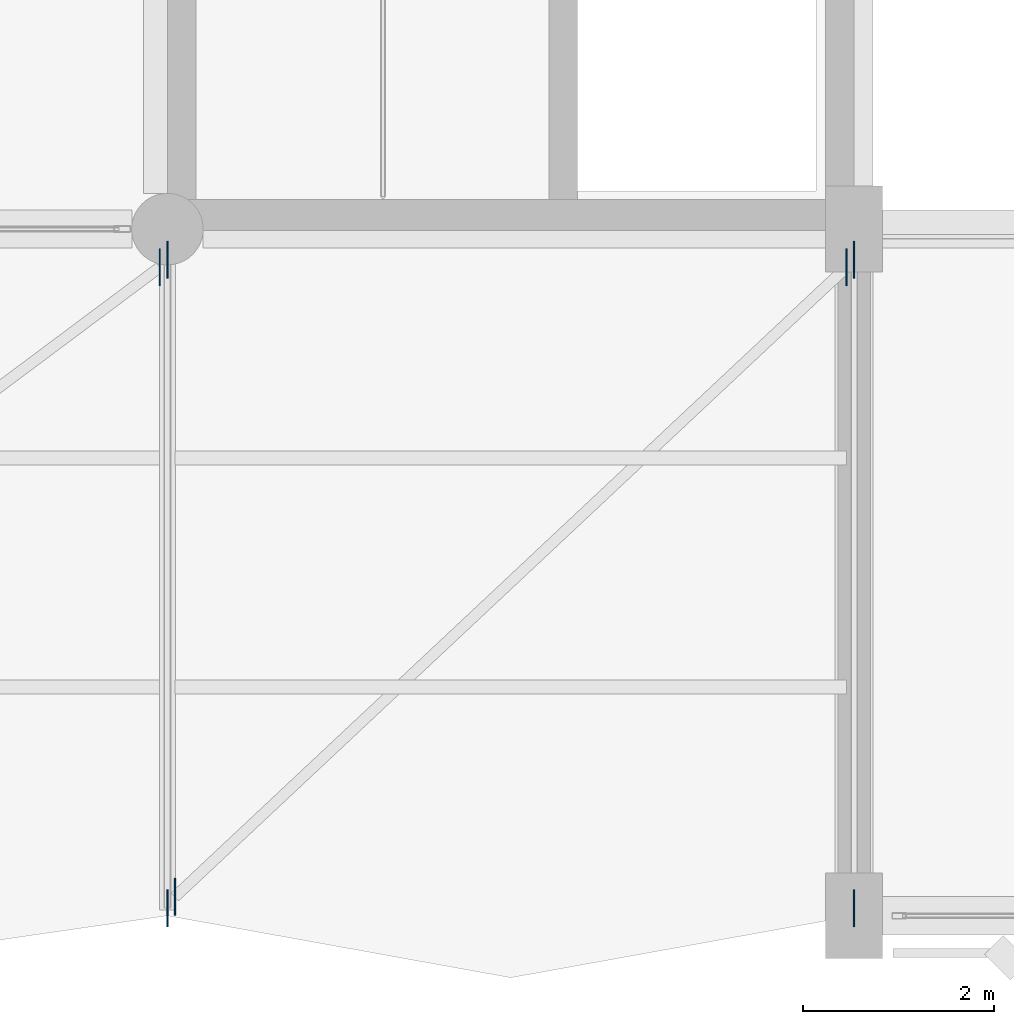
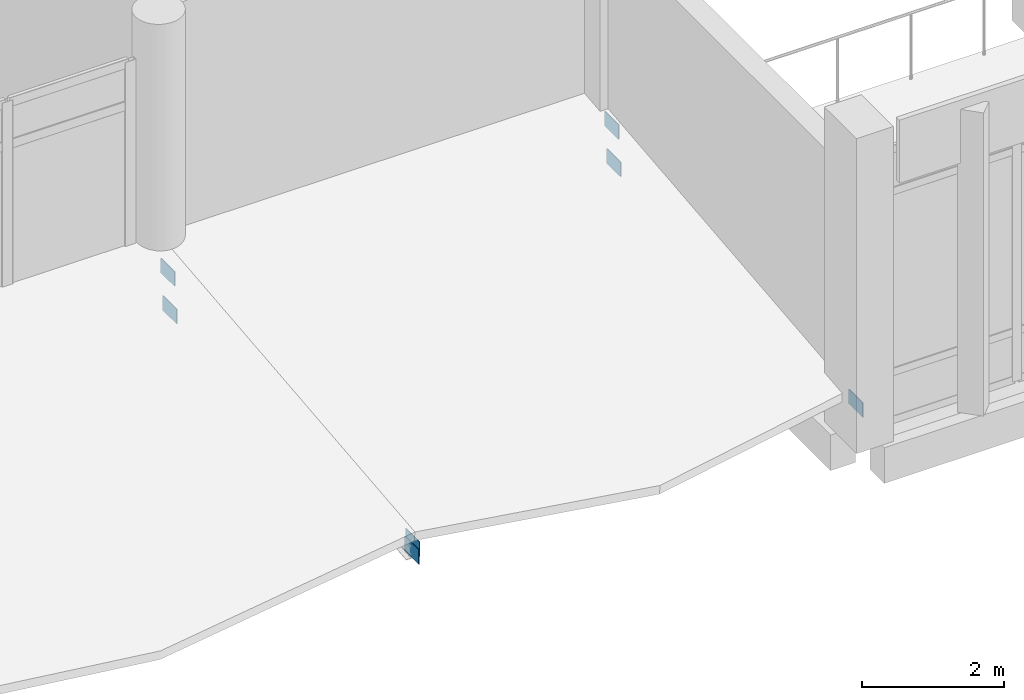
# One storey, part 155 of 180: 7 plates.
"""IFC4 building model written with IfcOpenShell, lengths in metres."""

import ifcopenshell
import ifcopenshell.guid

model = None  # the IFC model being written
_history = None  # IfcOwnerHistory: only IFC2X3 demands one
_inside = {}  # id of a spatial element -> (the spatial element, [elements in it])
_under = {}  # id of a project, library or spatial element -> (it, [spatial elements below it])
_declared = {}  # id of a project -> (the project, [libraries it declares])
_typed = {}  # id of a type object -> (the type object, [elements of that type])
_made_of = {}  # id of a material, layer set ... -> (it, [elements and type objects made of it])


def new_model(schema):
    """Start an empty IFC model of exactly this schema.

    Asked for "IFC4X3", IfcOpenShell would pick the latest addendum, in which some entities
    have other attributes; the version numbers below select the first issue.
    IFC2X3 requires an IfcOwnerHistory on every rooted entity: one is made here for all.
    """
    global model, _history
    if schema == "IFC4X3":
        model = ifcopenshell.file(schema_version=(4, 3, 0, 0))
    else:
        model = ifcopenshell.file(schema=schema)
    _inside.clear()
    _under.clear()
    _declared.clear()
    _typed.clear()
    _made_of.clear()
    _history = None
    if model.schema == "IFC2X3":
        org = make("IfcOrganization", Name="unknown")
        user = make(
            "IfcPersonAndOrganization",
            ThePerson=make("IfcPerson", FamilyName="unknown"),
            TheOrganization=org,
        )
        app = make(
            "IfcApplication",
            ApplicationDeveloper=org,
            Version="unknown",
            ApplicationFullName="unknown",
            ApplicationIdentifier="unknown",
        )
        _history = make(
            "IfcOwnerHistory",
            OwningUser=user,
            OwningApplication=app,
            ChangeAction="ADDED",
            CreationDate=0,
        )
    return model


def make(cls, **values):
    """One entity of the class cls with the attributes given. An attribute that is None is left unset."""
    return model.create_entity(
        cls, **{name: value for name, value in values.items() if value is not None}
    )


def rooted(cls, **values):
    """An entity with a GlobalId (a new one), such as an element, a storey or a relation."""
    return make(cls, GlobalId=ifcopenshell.guid.new(), OwnerHistory=_history, **values)


def si_unit(unit_type, name, prefix=None):
    """IfcSIUnit, for example si_unit("LENGTHUNIT", "METRE", prefix="MILLI")."""
    return make("IfcSIUnit", UnitType=unit_type, Prefix=prefix, Name=name)


def assignment(units):
    """IfcUnitAssignment: the units of a project."""
    return None if units is None else make("IfcUnitAssignment", Units=units)


def point(xyz):
    """IfcCartesianPoint."""
    return None if xyz is None else make("IfcCartesianPoint", Coordinates=xyz)


def direction(xyz):
    """IfcDirection."""
    return None if xyz is None else make("IfcDirection", DirectionRatios=xyz)


def frame(location, z_axis=None, x_axis=None):
    """IfcAxis2Placement3D, a coordinate frame: its origin and axes. An axis left out is left unset."""
    return make(
        "IfcAxis2Placement3D",
        Location=point(location),
        Axis=direction(z_axis),
        RefDirection=direction(x_axis),
    )


def frame_2d(location, x_axis=None):
    """IfcAxis2Placement2D, a coordinate frame in the plane: its origin and x axis."""
    return make(
        "IfcAxis2Placement2D", Location=point(location), RefDirection=direction(x_axis)
    )


def origin():
    """The frame at (0, 0, 0) with its axes left unset."""
    return frame((0.0, 0.0, 0.0))


def origin_2d():
    """The frame at (0, 0) in the plane with its x axis left unset."""
    return frame_2d((0.0, 0.0))


def place(relative_to, where):
    """IfcLocalPlacement: puts the frame where relative to a parent placement (None: the world)."""
    return make(
        "IfcLocalPlacement", PlacementRelTo=relative_to, RelativePlacement=where
    )


def context(
    kind, dimensions, precision=None, world=None, true_north=None, identifier=None
):
    """IfcGeometricRepresentationContext, for example the 3D "Model" context."""
    return make(
        "IfcGeometricRepresentationContext",
        ContextIdentifier=identifier,
        ContextType=kind,
        CoordinateSpaceDimension=dimensions,
        Precision=precision,
        WorldCoordinateSystem=world,
        TrueNorth=true_north,
    )


def subcontext(parent, identifier, kind, view, scale=None):
    """IfcGeometricRepresentationSubContext, for example "Body" below "Model"."""
    return make(
        "IfcGeometricRepresentationSubContext",
        ContextIdentifier=identifier,
        ContextType=kind,
        ParentContext=parent,
        TargetScale=scale,
        TargetView=view,
    )


def project(units=None, contexts=None):
    """IfcProject with its units and contexts."""
    return rooted(
        "IfcProject",
        Name="project",
        RepresentationContexts=contexts,
        UnitsInContext=assignment(units),
    )


def spatial(cls, under=None, at=None, **own):
    """A site, building, storey or space (cls), placed at a placement, below another one or the project."""
    s = rooted(cls, ObjectPlacement=at, **own)
    if under is not None:
        _under.setdefault(under.id(), (under, []))[1].append(s)
    return s


def profile(cls, at=None, kind="AREA", **sizes):
    """A parametric profile (cls). Its sizes go by their IFC names, for example OverallWidth=200.0."""
    return make(cls, ProfileType=kind, Position=at, **sizes)


def rectangle(**sizes):
    """IfcRectangleProfileDef."""
    return profile("IfcRectangleProfileDef", **sizes)


def extrude(swept, where, along, depth):
    """IfcExtrudedAreaSolid: the profile swept, set in the frame where, extruded along a direction by depth."""
    return make(
        "IfcExtrudedAreaSolid",
        SweptArea=swept,
        Position=where,
        ExtrudedDirection=direction(along),
        Depth=depth,
    )


def shape(context_of_items, identifier, shape_type, items):
    """IfcShapeRepresentation: the items that make up one representation, for example the "Body"."""
    return make(
        "IfcShapeRepresentation",
        ContextOfItems=context_of_items,
        RepresentationIdentifier=identifier,
        RepresentationType=shape_type,
        Items=items,
    )


def material(Name=None, Category=None):
    """IfcMaterial."""
    return make("IfcMaterial", Name=Name, Category=Category)


def layer(
    of_material, thickness, ventilated=None, Name=None, Category=None, Priority=None
):
    """IfcMaterialLayer: one layer of a wall or slab, of a material (None: an air gap)."""
    return make(
        "IfcMaterialLayer",
        Material=of_material,
        LayerThickness=thickness,
        IsVentilated=ventilated,
        Name=Name,
        Category=Category,
        Priority=Priority,
    )


def layer_set(layers, Name=None):
    """IfcMaterialLayerSet."""
    return make("IfcMaterialLayerSet", MaterialLayers=layers, LayerSetName=Name)


def made_of(thing, what):
    """Note that an element or type object is made of a material, layer set ...; save() writes the relation."""
    if what is not None:
        _made_of.setdefault(what.id(), (what, []))[1].append(thing)
    return thing


def type_object(cls, material=None, **own):
    """A type object (cls), such as IfcWallType, which elements share."""
    return made_of(rooted(cls, **own), material)


def element(
    cls,
    number,
    at=None,
    inside=None,
    cuts=None,
    type_object=None,
    material=None,
    context=None,
    identifier="Body",
    shape_type=None,
    held_by="IfcProductDefinitionShape",
    body=None,
    shapes=None,
    **own,
):
    """One element of the class cls, such as IfcWall. Its Tag is "e" and its number.

    at: its placement. inside: the storey or other place that contains it. cuts: it is an
    opening in that element (IfcRelVoidsElement). A single representation is given by context,
    identifier, shape_type and body (its items); several are given by shapes. held_by: the class
    of the entity that holds the representations. save() writes the other relations.
    """
    e = rooted(cls, Tag="e%d" % number, ObjectPlacement=at, **own)
    if body is not None:
        shapes = [shape(context, identifier, shape_type, body)]
    if shapes is not None:
        e.Representation = make(held_by, Representations=shapes)
    if inside is not None:
        _inside.setdefault(inside.id(), (inside, []))[1].append(e)
    if cuts is not None:
        rooted(
            "IfcRelVoidsElement", RelatingBuildingElement=cuts, RelatedOpeningElement=e
        )
    if type_object is not None:
        _typed.setdefault(type_object.id(), (type_object, []))[1].append(e)
    return made_of(e, material)


def aggregate(whole, parts):
    """IfcRelAggregates: a whole, such as a stair, and the parts it consists of."""
    return rooted("IfcRelAggregates", RelatingObject=whole, RelatedObjects=parts)


def save(model, path):
    """Write the relations noted so far, then the file.

    IfcRelAggregates (storeys below a building ...), IfcRelContainedInSpatialStructure (elements
    in a storey), IfcRelDefinesByType, IfcRelAssociatesMaterial and IfcRelDeclares: one each for
    every whole, place, type object, material and project.
    """
    for whole, parts in _under.values():
        aggregate(whole, parts)
    for where, things in _inside.values():
        rooted(
            "IfcRelContainedInSpatialStructure",
            RelatedElements=things,
            RelatingStructure=where,
        )
    for kind, things in _typed.values():
        rooted("IfcRelDefinesByType", RelatedObjects=things, RelatingType=kind)
    for what, things in _made_of.values():
        rooted("IfcRelAssociatesMaterial", RelatedObjects=things, RelatingMaterial=what)
    for by, libraries in _declared.values():
        rooted("IfcRelDeclares", RelatingContext=by, RelatedDefinitions=libraries)
    model.write(path)


model = new_model("IFC4")

# Units and contexts
model_context = context("Model", 3, precision=1e-05, world=origin(), true_north=direction((0.0, 1.0)))
body_context = subcontext(model_context, "Body", "Model", "MODEL_VIEW")
ifc_project = project(units=[si_unit("LENGTHUNIT", "METRE"), si_unit("AREAUNIT", "SQUARE_METRE"), si_unit("VOLUMEUNIT", "CUBIC_METRE"), si_unit("PLANEANGLEUNIT", "RADIAN"), si_unit("MASSUNIT", "GRAM", prefix="KILO")], contexts=[model_context])

# Site, building, storey
site_placement = place(None, origin())
site = spatial("IfcSite", under=ifc_project, at=site_placement, CompositionType="ELEMENT")
building_placement = place(site_placement, origin())
building = spatial("IfcBuilding", under=site, at=building_placement, Name="Lusvemor Sports Hall", CompositionType="ELEMENT")
storey_placement = place(building_placement, frame((0.0, 0.0, 5.39990234375)))
storey = spatial("IfcBuildingStorey", under=building, at=storey_placement, Name="L01", CompositionType="ELEMENT", Elevation=5.39990234375)

# Plates
ifc_material = material(Name="Steel S355", Category="steel")
ifc_layer = layer(ifc_material, 0.013916015625)
ifc_layer_set = layer_set([ifc_layer], Name="Steel S355")
plate_type = type_object("IfcPlateType", Name="GUSSET_CANOPY_D", PredefinedType="USERDEFINED", material=ifc_layer_set)
for number, where, z_axis, x_axis, name in (
    (1, (111.60009765625, 0.080078125, 0.315185546875), (0.0, 0.0, 1.0), (1.0, 0.0, 0.0), "Canopy Node Gusset 12"),
    (2, (111.60009765625, 6.8798828125, 0.315185546875), (0.0, 0.0, 1.0), (1.0, 0.0, 0.0), "Canopy Connection Gusset 12-N"),
    (3, (118.800048828125, 0.080078125, 0.315185546875), (0.0, 0.0, 1.0), (1.0, 0.0, 0.0), "Canopy Node Gusset 13"),
    (4, (118.800048828125, 6.8798828125, 0.315185546875), (0.0, 0.0, 1.0), (1.0, 0.0, 0.0), "Canopy Connection Gusset 13-N"),
    (5, (111.52001953125, 6.800048828125, 1.0361328125), (0.0, 0.0, 1.0), (1.0, 0.0, 0.0), "Canopy Wind Brace Gusset 11-1"),
    (6, (111.679931640625, 0.199951171875, 0.3486328125), (0.0, 0.0, 1.0), (1.0, 0.0, 0.0), "Canopy Wind Brace Gusset 12-0"),
    (7, (118.719970703125, 6.800048828125, 1.0361328125), (0.0, 0.0, 1.0), (1.0, 0.0, 0.0), "Canopy Wind Brace Gusset 12-1"),
):
    element("IfcPlate", number, at=place(storey_placement, frame(where, z_axis=z_axis, x_axis=x_axis)), inside=storey, type_object=plate_type, Name=name, ObjectType="GUSSET_PLATE", PredefinedType="USERDEFINED", context=body_context, shape_type="SweptSolid", body=[
        extrude(rectangle(XDim=0.013916015625, YDim=0.389892578125, at=origin_2d()), origin(), (0.0, 0.0, 1.0), 0.25),
    ])

save(model, "model.ifc")
